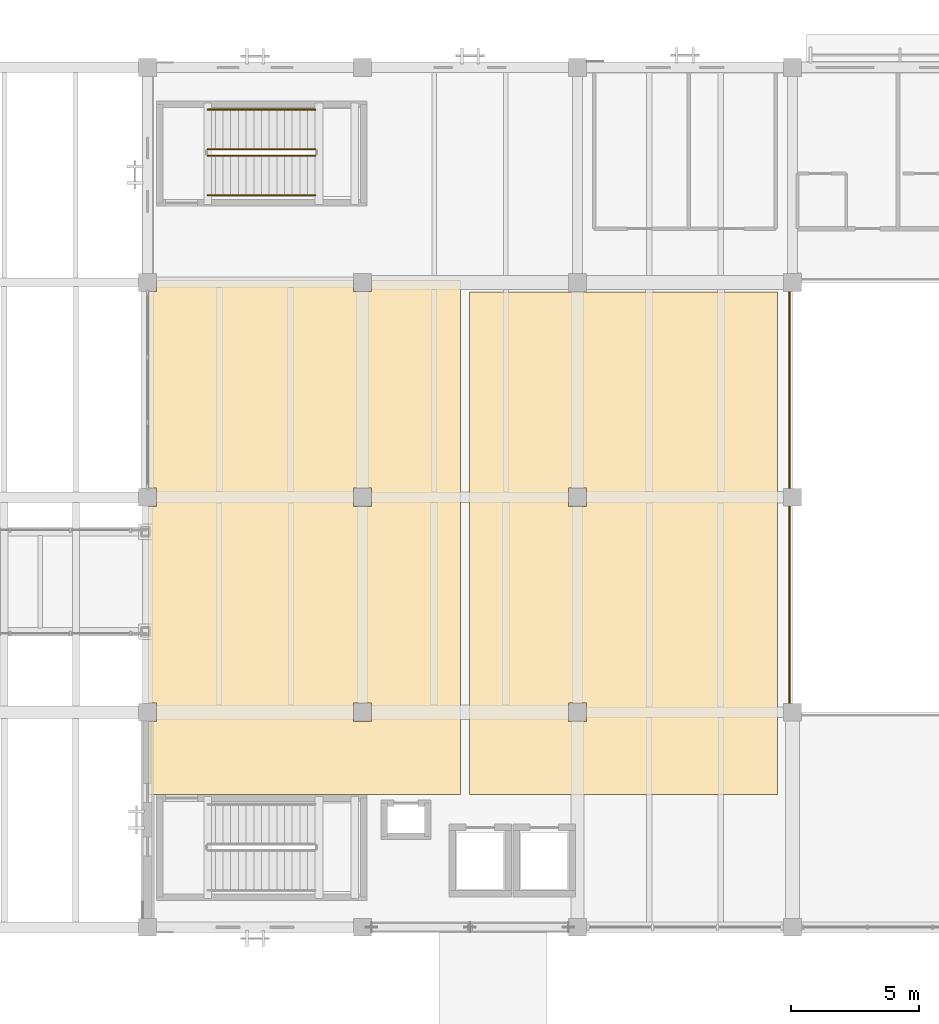
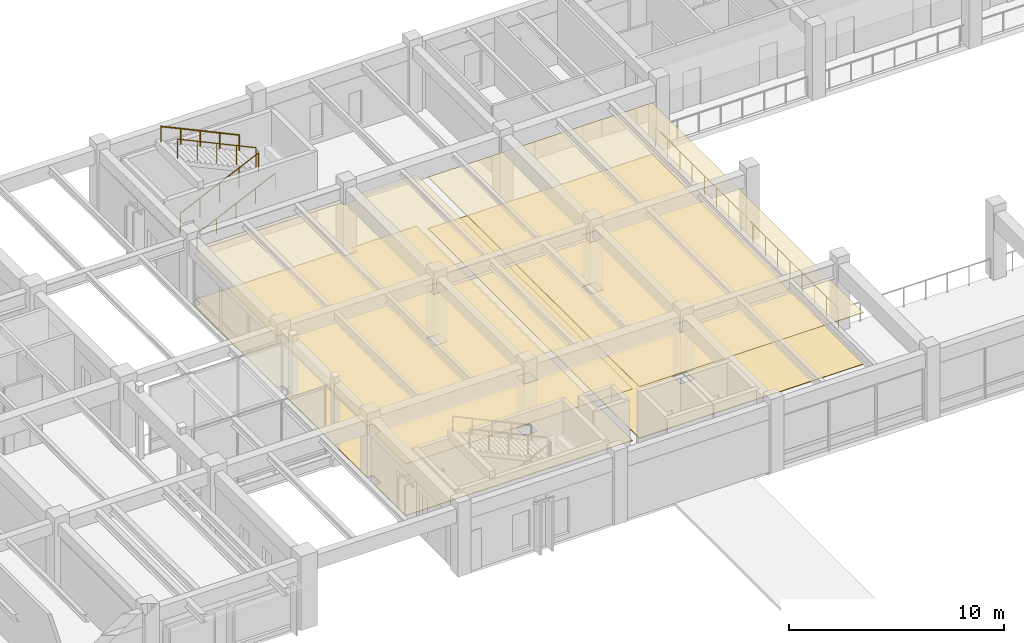
# One storey, part 123 of 132: 5 railings, 4 coverings.
"""IFC4 building model written with IfcOpenShell, lengths in metres."""

from ifc_helpers import new_model, si_unit, direction, frame, origin, origin_2d, place, context, subcontext, project, spatial, polyline, circle, outline, extrude, material, layer, layer_set, type_object, element, save


model = new_model("IFC4")

# Units and contexts
model_context = context("Model", 3, precision=1e-05, world=origin(), true_north=direction((0.0, 1.0)))
body_context = subcontext(model_context, "Body", "Model", "MODEL_VIEW")
ifc_project = project(units=[si_unit("LENGTHUNIT", "METRE"), si_unit("AREAUNIT", "SQUARE_METRE"), si_unit("VOLUMEUNIT", "CUBIC_METRE"), si_unit("PLANEANGLEUNIT", "RADIAN"), si_unit("MASSUNIT", "GRAM", prefix="KILO")], contexts=[model_context])

# Site, building, storey
site_placement = place(None, origin())
site = spatial("IfcSite", under=ifc_project, at=site_placement, CompositionType="ELEMENT")
building_placement = place(site_placement, origin())
building = spatial("IfcBuilding", under=site, at=building_placement, Name="Cumbredor Promenade Congress Hotel", CompositionType="ELEMENT")
storey_placement = place(building_placement, frame((0.0, 0.0, 7.56005859375)))
storey = spatial("IfcBuildingStorey", under=building, at=storey_placement, Name="L02", CompositionType="ELEMENT", Elevation=7.56005859375)

# Coverings
ifc_material_1 = material(Name="Acoustic mineral-fiber and gypsum ceiling")
ifc_layer_1 = layer(ifc_material_1, 0.028076171875, Name="Acoustic mineral-fiber and gypsum ceiling")
ifc_layer_set_1 = layer_set([ifc_layer_1], Name="Acoustic mineral-fiber and gypsum ceiling")
covering_type_1 = type_object("IfcCoveringType", Name="Acoustic Perforated Gypsum Ceiling CLG-03 28mm", PredefinedType="CEILING", material=ifc_layer_set_1)
covering_1_placement = place(storey_placement, frame((0.0, 0.0, 2.9228515625)))
element("IfcCovering", 1, at=covering_1_placement, inside=storey, type_object=covering_type_1, Name="L02 West Congress Commission Room 1 Acoustic Ceiling", PredefinedType="CEILING", context=body_context, shape_type="SweptSolid", body=[
    extrude(outline(polyline([(92.7548828125, 92.7548828125), (92.429931640625, 92.7548828125), (92.429931640625, 100.445068359375), (92.7548828125, 100.445068359375), (92.7548828125, 101.155029296875), (92.429931640625, 101.155029296875), (92.429931640625, 108.844970703125), (92.7548828125, 108.844970703125), (92.7548828125, 109.27001953125), (100.445068359375, 109.27001953125), (100.445068359375, 108.844970703125), (101.155029296875, 108.844970703125), (101.155029296875, 109.27001953125), (104.6201171875, 109.27001953125), (104.6201171875, 89.179931640625), (92.429931640625, 89.179931640625), (92.429931640625, 92.044921875), (92.7548828125, 92.044921875), (92.7548828125, 92.7548828125)]), holes=[polyline([(100.445068359375, 92.044921875), (101.155029296875, 92.044921875), (101.155029296875, 92.7548828125), (100.445068359375, 92.7548828125), (100.445068359375, 92.044921875)]), polyline([(100.445068359375, 101.155029296875), (100.445068359375, 100.445068359375), (101.155029296875, 100.445068359375), (101.155029296875, 101.155029296875), (100.445068359375, 101.155029296875)])]), origin(), (0.0, 0.0, 1.0), 0.028076171875),
])
ifc_layer_2 = layer(ifc_material_1, 0.031982421875, Name="Acoustic mineral-fiber and gypsum ceiling")
ifc_layer_set_2 = layer_set([ifc_layer_2], Name="Acoustic mineral-fiber and gypsum ceiling")
covering_type_2 = type_object("IfcCoveringType", Name="Acoustic Perforated Gypsum Ceiling CLG-04 32mm", PredefinedType="CEILING", material=ifc_layer_set_2)
covering_2_placement = place(storey_placement, frame((0.0, 0.0, 2.9189453125)))
element("IfcCovering", 2, at=covering_2_placement, inside=storey, type_object=covering_type_2, Name="L02 West Congress Commission Room 2 Acoustic Ceiling", PredefinedType="CEILING", context=body_context, shape_type="SweptSolid", body=[
    extrude(outline(polyline([(117.02001953125, 89.179931640625), (104.97998046875, 89.179931640625), (104.97998046875, 108.820068359375), (117.02001953125, 108.820068359375), (117.02001953125, 89.179931640625)]), holes=[polyline([(108.844970703125, 92.7548828125), (108.844970703125, 92.044921875), (109.554931640625, 92.044921875), (109.554931640625, 92.7548828125), (108.844970703125, 92.7548828125)]), polyline([(109.554931640625, 101.155029296875), (108.844970703125, 101.155029296875), (108.844970703125, 100.445068359375), (109.554931640625, 100.445068359375), (109.554931640625, 101.155029296875)])]), origin(), (0.0, 0.0, 1.0), 0.031982421875),
])

# Railings
ifc_material_2 = material(Name="Brushed stainless steel", Category="steel")
railing_type_1 = type_object("IfcRailingType", Name="Interior Void & Stair Guardrail GR-1100", PredefinedType="GUARDRAIL", material=ifc_material_2)
railing_1_placement = place(storey_placement, frame((94.75, 114.14990234375, 0.139892578125)))
element("IfcRailing", 3, at=railing_1_placement, inside=storey, type_object=railing_type_1, Name="L02 ST-15 stair guard 1", PredefinedType="GUARDRAIL", context=body_context, shape_type="SweptSolid", body=[
    extrude(circle(Radius=0.02392578125, at=origin_2d()), frame((0.0, 0.0, 1.09619140625), z_axis=(0.906184485727, 0.0, 0.422882581609), x_axis=(0.0, 1.0, 0.0)), (0.0, 0.0, 1.0), 4.634765625),
    extrude(circle(Radius=0.02099609375, at=origin_2d()), origin(), (0.0, 0.0, 1.0), 1.072021484375),
    extrude(circle(Radius=0.02099609375, at=origin_2d()), frame((1.050048828125, 0.0, 0.489990234375)), (0.0, 0.0, 1.0), 1.072021484375),
    extrude(circle(Radius=0.02099609375, at=origin_2d()), frame((2.10009765625, 0.0, 0.97998046875)), (0.0, 0.0, 1.0), 1.072021484375),
    extrude(circle(Radius=0.02099609375, at=origin_2d()), frame((3.14990234375, 0.0, 1.469970703125)), (0.0, 0.0, 1.0), 1.072021484375),
    extrude(circle(Radius=0.02099609375, at=origin_2d()), frame((4.199951171875, 0.0, 1.9599609375)), (0.0, 0.0, 1.0), 1.072021484375),
])
railing_2_placement = place(storey_placement, frame((98.949951171875, 114.39990234375, 2.239990234375)))
element("IfcRailing", 4, at=railing_2_placement, inside=storey, type_object=railing_type_1, Name="L02 ST-15 stair guard 3", PredefinedType="GUARDRAIL", context=body_context, shape_type="SweptSolid", body=[
    extrude(circle(Radius=0.02392578125, at=origin_2d()), frame((0.0, 0.0, 1.09619140625), z_axis=(-0.906184485727, 0.0, 0.422882581609), x_axis=(0.0, -1.0, 0.0)), (0.0, 0.0, 1.0), 4.634765625),
    extrude(circle(Radius=0.02099609375, at=origin_2d()), origin(), (0.0, 0.0, 1.0), 1.072021484375),
    extrude(circle(Radius=0.02099609375, at=origin_2d()), frame((-1.050048828125, 0.0, 0.489990234375)), (0.0, 0.0, 1.0), 1.072021484375),
    extrude(circle(Radius=0.02099609375, at=origin_2d()), frame((-2.10009765625, 0.0, 0.97998046875)), (0.0, 0.0, 1.0), 1.072021484375),
    extrude(circle(Radius=0.02099609375, at=origin_2d()), frame((-3.14990234375, 0.0, 1.469970703125)), (0.0, 0.0, 1.0), 1.072021484375),
    extrude(circle(Radius=0.02099609375, at=origin_2d()), frame((-4.199951171875, 0.0, 1.9599609375)), (0.0, 0.0, 1.0), 1.072021484375),
])
railing_3_placement = place(storey_placement, frame((117.47998046875, 109.320068359375, 0.0)))
element("IfcRailing", 5, at=railing_3_placement, inside=storey, type_object=railing_type_1, Name="L02 v4_forum_atrium Void Perimeter Guardrail 4", PredefinedType="GUARDRAIL", context=body_context, shape_type="SweptSolid", body=[
    extrude(circle(Radius=0.02392578125, at=origin_2d()), frame((0.0, 0.0, 1.09619140625), z_axis=(0.0, -1.0, 0.0), x_axis=(1.0, 0.0, 0.0)), (0.0, 0.0, 1.0), 17.0400390625),
    extrude(circle(Radius=0.02099609375, at=origin_2d()), origin(), (0.0, 0.0, 1.0), 1.072021484375),
    extrude(circle(Radius=0.02099609375, at=origin_2d()), frame((0.0, -1.135986328125, 0.0)), (0.0, 0.0, 1.0), 1.072021484375),
    extrude(circle(Radius=0.02099609375, at=origin_2d()), frame((0.0, -2.27197265625, 0.0)), (0.0, 0.0, 1.0), 1.072021484375),
    extrude(circle(Radius=0.02099609375, at=origin_2d()), frame((0.0, -3.407958984375, 0.0)), (0.0, 0.0, 1.0), 1.072021484375),
    extrude(circle(Radius=0.02099609375, at=origin_2d()), frame((0.0, -4.5439453125, 0.0)), (0.0, 0.0, 1.0), 1.072021484375),
    extrude(circle(Radius=0.02099609375, at=origin_2d()), frame((0.0, -5.679931640625, 0.0)), (0.0, 0.0, 1.0), 1.072021484375),
    extrude(circle(Radius=0.02099609375, at=origin_2d()), frame((0.0, -6.81591796875, 0.0)), (0.0, 0.0, 1.0), 1.072021484375),
    extrude(circle(Radius=0.02099609375, at=origin_2d()), frame((0.0, -7.951904296875, 0.0)), (0.0, 0.0, 1.0), 1.072021484375),
    extrude(circle(Radius=0.02099609375, at=origin_2d()), frame((0.0, -9.088134765625, 0.0)), (0.0, 0.0, 1.0), 1.072021484375),
    extrude(circle(Radius=0.02099609375, at=origin_2d()), frame((0.0, -10.22412109375, 0.0)), (0.0, 0.0, 1.0), 1.072021484375),
    extrude(circle(Radius=0.02099609375, at=origin_2d()), frame((0.0, -11.360107421875, 0.0)), (0.0, 0.0, 1.0), 1.072021484375),
    extrude(circle(Radius=0.02099609375, at=origin_2d()), frame((0.0, -12.49609375, 0.0)), (0.0, 0.0, 1.0), 1.072021484375),
    extrude(circle(Radius=0.02099609375, at=origin_2d()), frame((0.0, -13.632080078125, 0.0)), (0.0, 0.0, 1.0), 1.072021484375),
    extrude(circle(Radius=0.02099609375, at=origin_2d()), frame((0.0, -14.76806640625, 0.0)), (0.0, 0.0, 1.0), 1.072021484375),
    extrude(circle(Radius=0.02099609375, at=origin_2d()), frame((0.0, -15.904052734375, 0.0)), (0.0, 0.0, 1.0), 1.072021484375),
    extrude(circle(Radius=0.02099609375, at=origin_2d()), frame((0.0, -17.0400390625, 0.0)), (0.0, 0.0, 1.0), 1.072021484375),
])

# Coverings
ifc_material_3 = material(Name="Porcelain stoneware tile", Category="masonry")
ifc_layer_3 = layer(ifc_material_3, 0.02001953125, Name="Porcelain stoneware tile", Category="masonry")
ifc_layer_set_3 = layer_set([ifc_layer_3], Name="Porcelain stoneware tile")
covering_type_3 = type_object("IfcCoveringType", Name="Porcelain Stoneware Flooring FLR-01 20mm", PredefinedType="FLOORING", material=ifc_layer_set_3)
covering_3_placement = place(storey_placement, origin())
element("IfcCovering", 6, at=covering_3_placement, inside=storey, type_object=covering_type_3, Name="L02 West Congress Commission Room 1 Porcelain Flooring", PredefinedType="FLOORING", context=body_context, shape_type="SweptSolid", body=[
    extrude(outline(polyline([(92.7548828125, 92.7548828125), (92.429931640625, 92.7548828125), (92.429931640625, 100.445068359375), (92.7548828125, 100.445068359375), (92.7548828125, 101.155029296875), (92.429931640625, 101.155029296875), (92.429931640625, 108.844970703125), (92.7548828125, 108.844970703125), (92.7548828125, 109.27001953125), (100.445068359375, 109.27001953125), (100.445068359375, 108.844970703125), (101.155029296875, 108.844970703125), (101.155029296875, 109.27001953125), (104.6201171875, 109.27001953125), (104.6201171875, 89.179931640625), (92.429931640625, 89.179931640625), (92.429931640625, 92.044921875), (92.7548828125, 92.044921875), (92.7548828125, 92.7548828125)]), holes=[polyline([(100.445068359375, 92.044921875), (101.155029296875, 92.044921875), (101.155029296875, 92.7548828125), (100.445068359375, 92.7548828125), (100.445068359375, 92.044921875)]), polyline([(100.445068359375, 101.155029296875), (100.445068359375, 100.445068359375), (101.155029296875, 100.445068359375), (101.155029296875, 101.155029296875), (100.445068359375, 101.155029296875)])]), origin(), (0.0, 0.0, 1.0), 0.02001953125),
])
ifc_layer_4 = layer(ifc_material_3, 0.02490234375, Name="Porcelain stoneware tile", Category="masonry")
ifc_layer_set_4 = layer_set([ifc_layer_4], Name="Porcelain stoneware tile")
covering_type_4 = type_object("IfcCoveringType", Name="Porcelain Stoneware Flooring FLR-02 25mm", PredefinedType="FLOORING", material=ifc_layer_set_4)
covering_4_placement = place(storey_placement, origin())
element("IfcCovering", 7, at=covering_4_placement, inside=storey, type_object=covering_type_4, Name="L02 West Congress Commission Room 2 Porcelain Flooring", PredefinedType="FLOORING", context=body_context, shape_type="SweptSolid", body=[
    extrude(outline(polyline([(117.02001953125, 89.179931640625), (104.97998046875, 89.179931640625), (104.97998046875, 108.820068359375), (117.02001953125, 108.820068359375), (117.02001953125, 89.179931640625)]), holes=[polyline([(108.844970703125, 92.7548828125), (108.844970703125, 92.044921875), (109.554931640625, 92.044921875), (109.554931640625, 92.7548828125), (108.844970703125, 92.7548828125)]), polyline([(109.554931640625, 101.155029296875), (108.844970703125, 101.155029296875), (108.844970703125, 100.445068359375), (109.554931640625, 100.445068359375), (109.554931640625, 101.155029296875)])]), origin(), (0.0, 0.0, 1.0), 0.02490234375),
])

# Railings
railing_type_2 = type_object("IfcRailingType", Name="Stair Pitch Handrail HR-900", PredefinedType="HANDRAIL", material=ifc_material_2)
railing_4_placement = place(storey_placement, frame((94.75, 112.60009765625, 0.139892578125)))
element("IfcRailing", 8, at=railing_4_placement, inside=storey, type_object=railing_type_2, Name="L02 ST-15 stair handrail 1", PredefinedType="HANDRAIL", context=body_context, shape_type="SweptSolid", body=[
    extrude(circle(Radius=0.02392578125, at=origin_2d()), frame((0.0, 0.0, 0.8759765625), z_axis=(0.906184485727, 0.0, 0.422882581609), x_axis=(0.0, 1.0, 0.0)), (0.0, 0.0, 1.0), 4.634765625),
    extrude(circle(Radius=0.02099609375, at=origin_2d()), origin(), (0.0, 0.0, 1.0), 0.851806640625),
    extrude(circle(Radius=0.02099609375, at=origin_2d()), frame((1.050048828125, 0.0, 0.489990234375)), (0.0, 0.0, 1.0), 0.851806640625),
    extrude(circle(Radius=0.02099609375, at=origin_2d()), frame((2.10009765625, 0.0, 0.97998046875)), (0.0, 0.0, 1.0), 0.851806640625),
    extrude(circle(Radius=0.02099609375, at=origin_2d()), frame((3.14990234375, 0.0, 1.469970703125)), (0.0, 0.0, 1.0), 0.851806640625),
    extrude(circle(Radius=0.02099609375, at=origin_2d()), frame((4.199951171875, 0.0, 1.9599609375)), (0.0, 0.0, 1.0), 0.851806640625),
])
railing_5_placement = place(storey_placement, frame((98.949951171875, 115.949951171875, 2.239990234375)))
element("IfcRailing", 9, at=railing_5_placement, inside=storey, type_object=railing_type_2, Name="L02 ST-15 stair handrail 2", PredefinedType="HANDRAIL", context=body_context, shape_type="SweptSolid", body=[
    extrude(circle(Radius=0.02392578125, at=origin_2d()), frame((0.0, 0.0, 0.8759765625), z_axis=(-0.906184485727, 0.0, 0.422882581609), x_axis=(0.0, -1.0, 0.0)), (0.0, 0.0, 1.0), 4.634765625),
    extrude(circle(Radius=0.02099609375, at=origin_2d()), origin(), (0.0, 0.0, 1.0), 0.851806640625),
    extrude(circle(Radius=0.02099609375, at=origin_2d()), frame((-1.050048828125, 0.0, 0.489990234375)), (0.0, 0.0, 1.0), 0.851806640625),
    extrude(circle(Radius=0.02099609375, at=origin_2d()), frame((-2.10009765625, 0.0, 0.97998046875)), (0.0, 0.0, 1.0), 0.851806640625),
    extrude(circle(Radius=0.02099609375, at=origin_2d()), frame((-3.14990234375, 0.0, 1.469970703125)), (0.0, 0.0, 1.0), 0.851806640625),
    extrude(circle(Radius=0.02099609375, at=origin_2d()), frame((-4.199951171875, 0.0, 1.9599609375)), (0.0, 0.0, 1.0), 0.851806640625),
])

save(model, "model.ifc")
